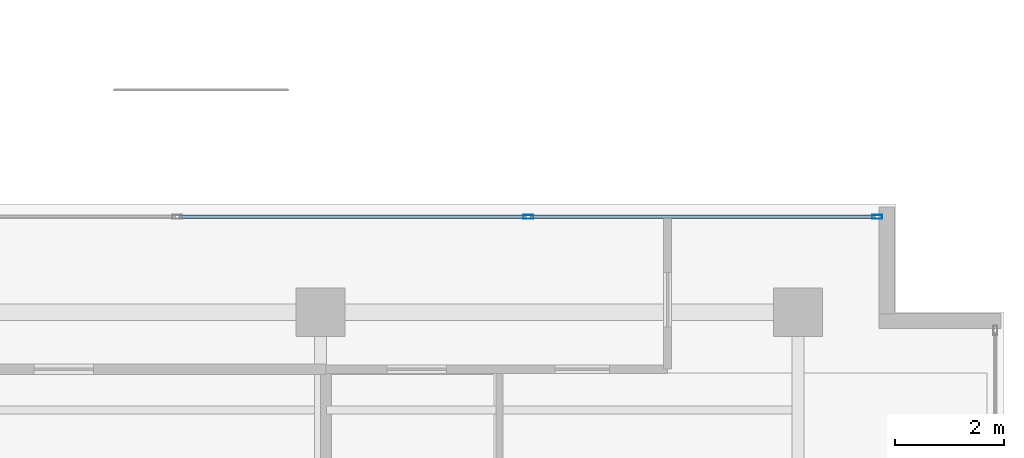
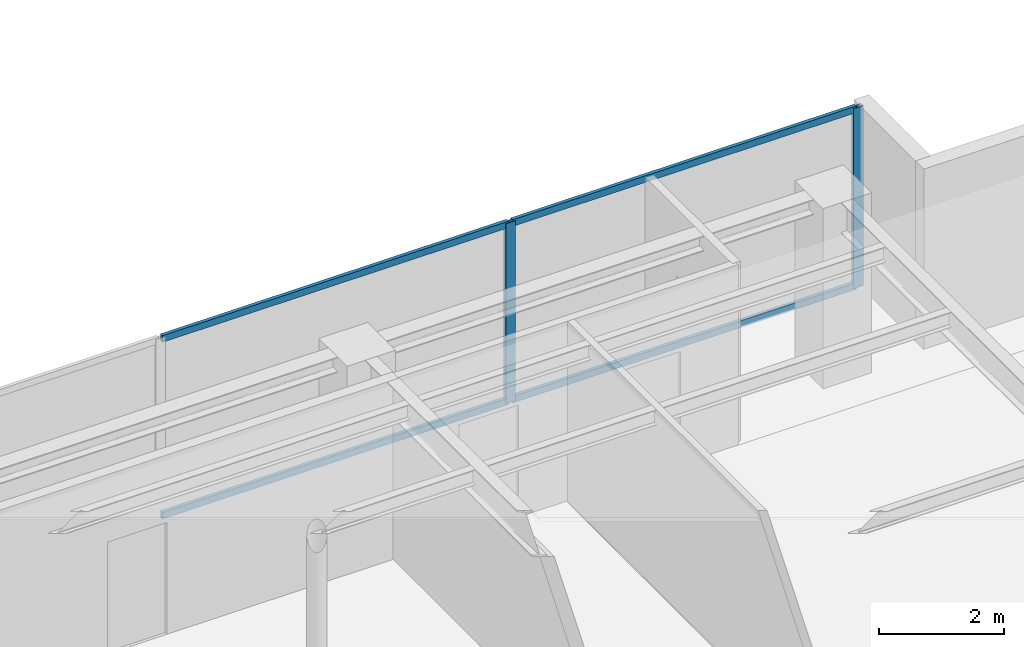
# One storey, part 19 of 32: 6 members, 1 element without a shape of its own.
"""IFC4 building model written with IfcOpenShell, lengths in metres."""

from ifc_helpers import new_model, si_unit, direction, frame, origin, origin_with_axes, origin_2d, place, context, subcontext, project, spatial, hollow_rectangle, extrude, source, transform, mapped, material, layer, layer_set, material_profile, profile_set, type_object, element, aggregate, save


model = new_model("IFC4")

# Units and contexts
model_context = context("Model", 3, precision=1e-05, world=origin(), true_north=direction((0.0, 1.0)))
body_context = subcontext(model_context, "Body", "Model", "MODEL_VIEW")
ifc_project = project(units=[si_unit("LENGTHUNIT", "METRE"), si_unit("AREAUNIT", "SQUARE_METRE"), si_unit("VOLUMEUNIT", "CUBIC_METRE"), si_unit("PLANEANGLEUNIT", "RADIAN"), si_unit("MASSUNIT", "GRAM", prefix="KILO")], contexts=[model_context])

# Site, building, storey
site_placement = place(None, origin())
site = spatial("IfcSite", under=ifc_project, at=site_placement, CompositionType="ELEMENT")
building_placement = place(site_placement, origin())
building = spatial("IfcBuilding", under=site, at=building_placement, Name="Kolvaren Waterfront Exchange", CompositionType="ELEMENT")
storey_placement = place(building_placement, frame((0.0, 0.0, 348.10009765625)))
storey = spatial("IfcBuildingStorey", under=building, at=storey_placement, Name="L89", CompositionType="ELEMENT", Elevation=348.10009765625)

# Curtain wall, members
ifc_material = material(Name="Anodised bronze aluminium 6063-T6", Category="aluminium")
ifc_layer = layer(ifc_material, 0.219970703125, Name="Anodised bronze aluminium 6063-T6")
ifc_layer_set = layer_set([ifc_layer], Name="Anodised bronze aluminium 6063-T6")
curtain_wall_type = type_object("IfcCurtainWallType", Name="ARC-CW-SYS5", PredefinedType="USERDEFINED", material=ifc_layer_set)
curtain_wall_placement = place(storey_placement, origin())
curtain_wall = element("IfcCurtainWall", 1, at=curtain_wall_placement, inside=storey, type_object=curtain_wall_type, Name="L89 stick curtain wall CW5 (CW-L89-EN)", ObjectType="STICK CURTAIN WALL", PredefinedType="USERDEFINED")
ifc_material_profile_1 = material_profile(ifc_material, hollow_rectangle(XDim=0.06494140625, YDim=0.1298828125, WallThickness=0.00390625, at=origin_2d()), Name="ALU-TRN-130x65x4")
ifc_profile_set_1 = profile_set([ifc_material_profile_1], Name="Anodised bronze aluminium 6063-T6")
member_type_1 = type_object("IfcMemberType", Name="ARC-CWT-130", PredefinedType="USERDEFINED", material=ifc_profile_set_1)
shared_shape_1 = source(origin_with_axes(), body_context, "Body", "SweptSolid", [
    extrude(hollow_rectangle(XDim=0.06494140625, YDim=0.1298828125, WallThickness=0.00390625, at=origin_2d()), origin(), (0.0, 0.0, 1.0), 6.39501953125),
])
member_1_placement = place(storey_placement, frame((34.197509765625, 19.159912109375, 0.032470703125), z_axis=(1.0, 0.0, 0.0), x_axis=(0.0, 1.0, 0.0)))
member_1 = element("IfcMember", 2, at=member_1_placement, type_object=member_type_1, Name="CW5 transom 2.1", ObjectType="TRANSOM", PredefinedType="USERDEFINED", context=body_context, shape_type="MappedRepresentation", body=[
    mapped(shared_shape_1, transform((0.0, 0.0, 0.0), x_axis=(1.0, 0.0, 0.0), y_axis=(0.0, 1.0, 0.0), z_axis=(0.0, 0.0, 1.0), scale=1.0)),
])
member_2_placement = place(storey_placement, frame((34.197509765625, 19.159912109375, 3.4873046875), z_axis=(1.0, 0.0, 0.0), x_axis=(0.0, 1.0, 0.0)))
member_2 = element("IfcMember", 3, at=member_2_placement, type_object=member_type_1, Name="CW5 transom 2.2", ObjectType="TRANSOM", PredefinedType="USERDEFINED", context=body_context, shape_type="MappedRepresentation", body=[
    mapped(shared_shape_1, transform((0.0, 0.0, 0.0), x_axis=(1.0, 0.0, 0.0), y_axis=(0.0, 1.0, 0.0), z_axis=(0.0, 0.0, 1.0), scale=1.0)),
])
shared_shape_2 = source(origin_with_axes(), body_context, "Body", "SweptSolid", [
    extrude(hollow_rectangle(XDim=0.06494140625, YDim=0.1298828125, WallThickness=0.00390625, at=origin_2d()), origin(), (0.0, 0.0, 1.0), 6.357421875),
])
member_3_placement = place(storey_placement, frame((40.66748046875, 19.159912109375, 0.032470703125), z_axis=(1.0, 0.0, 0.0), x_axis=(0.0, 1.0, 0.0)))
member_3 = element("IfcMember", 4, at=member_3_placement, type_object=member_type_1, Name="CW5 transom 3.1", ObjectType="TRANSOM", PredefinedType="USERDEFINED", context=body_context, shape_type="MappedRepresentation", body=[
    mapped(shared_shape_2, transform((0.0, 0.0, 0.0), x_axis=(1.0, 0.0, 0.0), y_axis=(0.0, 1.0, 0.0), z_axis=(0.0, 0.0, 1.0), scale=1.0)),
])
member_4_placement = place(storey_placement, frame((40.66748046875, 19.159912109375, 3.4873046875), z_axis=(1.0, 0.0, 0.0), x_axis=(0.0, 1.0, 0.0)))
member_4 = element("IfcMember", 5, at=member_4_placement, type_object=member_type_1, Name="CW5 transom 3.2", ObjectType="TRANSOM", PredefinedType="USERDEFINED", context=body_context, shape_type="MappedRepresentation", body=[
    mapped(shared_shape_2, transform((0.0, 0.0, 0.0), x_axis=(1.0, 0.0, 0.0), y_axis=(0.0, 1.0, 0.0), z_axis=(0.0, 0.0, 1.0), scale=1.0)),
])
ifc_material_profile_2 = material_profile(ifc_material, hollow_rectangle(XDim=0.074951171875, YDim=0.179931640625, WallThickness=0.00439453125, at=origin_2d()), Name="ALU-MUL-180x75x4.5")
ifc_profile_set_2 = profile_set([ifc_material_profile_2], Name="Anodised bronze aluminium 6063-T6")
member_type_2 = type_object("IfcMemberType", Name="ARC-CWM-180", PredefinedType="MULLION", material=ifc_profile_set_2)
shared_shape_3 = source(origin_with_axes(), body_context, "Body", "SweptSolid", [
    extrude(hollow_rectangle(XDim=0.074951171875, YDim=0.179931640625, WallThickness=0.00439453125, at=origin_2d()), origin(), (0.0, 0.0, 1.0), 3.52001953125),
])
member_5_placement = place(storey_placement, frame((40.6298828125, 19.159912109375, 0.0), z_axis=(0.0, 0.0, 1.0), x_axis=(0.0, 1.0, 0.0)))
member_5 = element("IfcMember", 6, at=member_5_placement, type_object=member_type_2, Name="CW5 mullion 3", PredefinedType="MULLION", context=body_context, shape_type="MappedRepresentation", body=[
    mapped(shared_shape_3, transform((0.0, 0.0, 0.0), x_axis=(1.0, 0.0, 0.0), y_axis=(0.0, 1.0, 0.0), z_axis=(0.0, 0.0, 1.0), scale=1.0)),
])
member_6_placement = place(storey_placement, frame((47.0625, 19.159912109375, 0.0), z_axis=(0.0, 0.0, 1.0), x_axis=(0.0, 1.0, 0.0)))
member_6 = element("IfcMember", 7, at=member_6_placement, type_object=member_type_2, Name="CW5 mullion 4", PredefinedType="MULLION", context=body_context, shape_type="MappedRepresentation", body=[
    mapped(shared_shape_3, transform((0.0, 0.0, 0.0), x_axis=(1.0, 0.0, 0.0), y_axis=(0.0, 1.0, 0.0), z_axis=(0.0, 0.0, 1.0), scale=1.0)),
])
aggregate(curtain_wall, [member_5, member_6, member_1, member_2, member_3, member_4])

save(model, "model.ifc")
